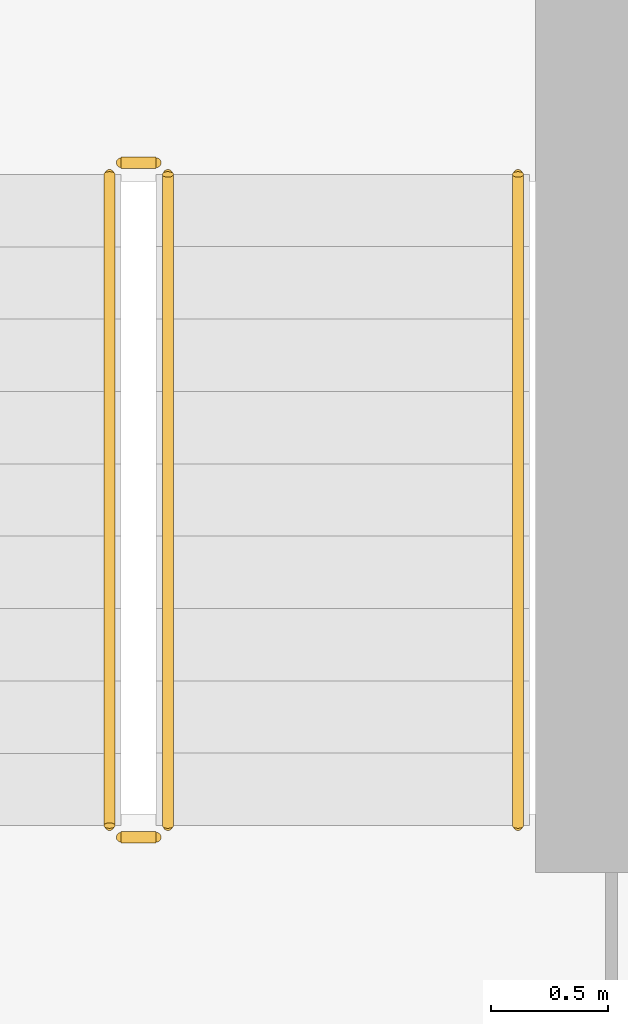
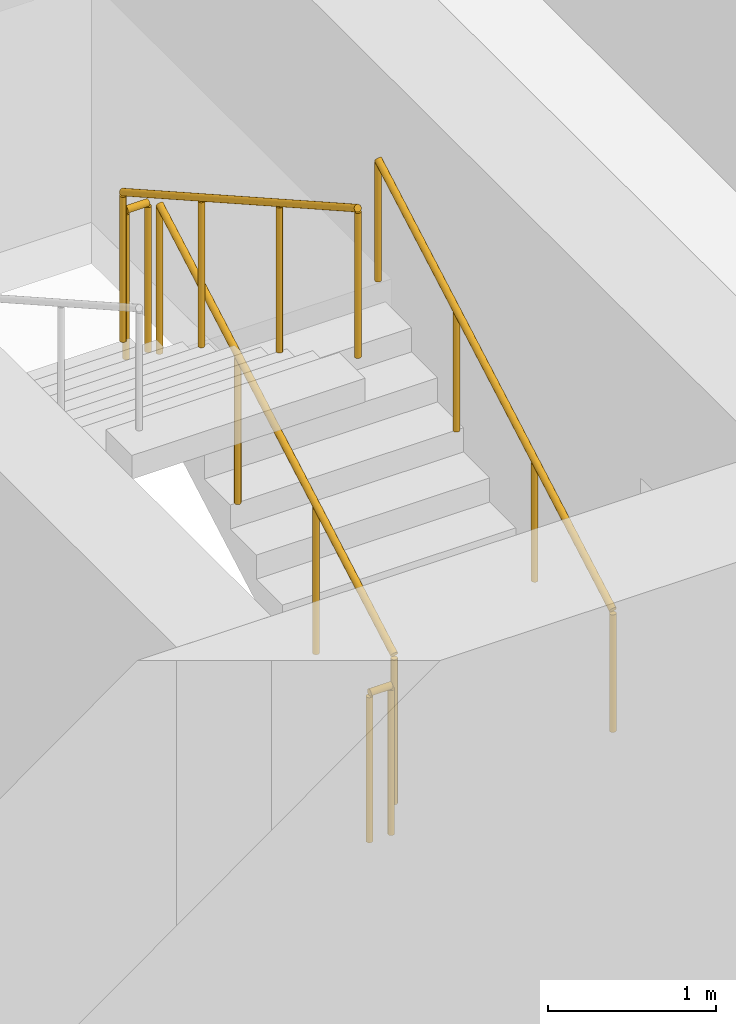
# One storey, part 20 of 22: 5 railings.
"""IFC4 building model written with IfcOpenShell, lengths in metres."""

from ifc_helpers import new_model, si_unit, direction, frame, origin, origin_2d, place, context, subcontext, project, spatial, circle, extrude, material, type_object, element, save


model = new_model("IFC4")

# Units and contexts
model_context = context("Model", 3, precision=1e-05, world=origin(), true_north=direction((0.0, 1.0)))
body_context = subcontext(model_context, "Body", "Model", "MODEL_VIEW")
ifc_project = project(units=[si_unit("LENGTHUNIT", "METRE"), si_unit("AREAUNIT", "SQUARE_METRE"), si_unit("VOLUMEUNIT", "CUBIC_METRE"), si_unit("PLANEANGLEUNIT", "RADIAN"), si_unit("MASSUNIT", "GRAM", prefix="KILO")], contexts=[model_context])

# Site, building, storey
site_placement = place(None, origin())
site = spatial("IfcSite", under=ifc_project, at=site_placement, CompositionType="ELEMENT")
building_placement = place(site_placement, origin())
building = spatial("IfcBuilding", under=site, at=building_placement, Name="Madar Terraces", CompositionType="ELEMENT")
storey_placement = place(building_placement, frame((0.0, 0.0, 66.300048828125)))
storey = spatial("IfcBuildingStorey", under=building, at=storey_placement, Name="L16", CompositionType="ELEMENT", Elevation=66.300048828125)

# Railings
ifc_material_1 = material(Name="Stainless steel railing", Category="steel")
railing_type_1 = type_object("IfcRailingType", Name="Stair guard 1100", PredefinedType="GUARDRAIL", material=ifc_material_1)
railing_1_placement = place(storey_placement, frame((41.449951171875, 17.60009765625, 0.175048828125)))
element("IfcRailing", 1, at=railing_1_placement, inside=storey, type_object=railing_type_1, Name="L16 ST3 stair guard 1", PredefinedType="GUARDRAIL", context=body_context, shape_type="SweptSolid", body=[
    extrude(circle(Radius=0.02392578125, at=origin_2d()), frame((0.0, 0.0, 1.076171875), z_axis=(0.0, 0.870815363784, 0.491610213684), x_axis=(-1.0, 0.0, 0.0)), (0.0, 0.0, 1.0), 3.20361328125),
    extrude(circle(Radius=0.02099609375, at=origin_2d()), origin(), (0.0, 0.0, 1.0), 1.052001953125),
    extrude(circle(Radius=0.02099609375, at=origin_2d()), frame((0.0, 0.929931640625, 0.52490234375)), (0.0, 0.0, 1.0), 1.052001953125),
    extrude(circle(Radius=0.02099609375, at=origin_2d()), frame((0.0, 1.85986328125, 1.050048828125)), (0.0, 0.0, 1.0), 1.052001953125),
    extrude(circle(Radius=0.02099609375, at=origin_2d()), frame((0.0, 2.789794921875, 1.574951171875)), (0.0, 0.0, 1.0), 1.052001953125),
])
railing_2_placement = place(storey_placement, frame((41.39990234375, 20.43994140625, 1.75)))
element("IfcRailing", 2, at=railing_2_placement, inside=storey, type_object=railing_type_1, Name="L16 ST3 stair guard 2", PredefinedType="GUARDRAIL", context=body_context, shape_type="SweptSolid", body=[
    extrude(circle(Radius=0.02392578125, at=origin_2d()), frame((0.0, 0.0, 1.076171875), z_axis=(-1.0, 0.0, 0.0), x_axis=(0.0, -1.0, 0.0)), (0.0, 0.0, 1.0), 0.14990234375),
    extrude(circle(Radius=0.02099609375, at=origin_2d()), origin(), (0.0, 0.0, 1.0), 1.052001953125),
    extrude(circle(Radius=0.02099609375, at=origin_2d()), frame((-0.14990234375, 0.0, 0.0)), (0.0, 0.0, 1.0), 1.052001953125),
])
railing_3_placement = place(storey_placement, frame((41.199951171875, 20.389892578125, 1.925048828125)))
element("IfcRailing", 3, at=railing_3_placement, inside=storey, type_object=railing_type_1, Name="L16 ST3 stair guard 3", PredefinedType="GUARDRAIL", context=body_context, shape_type="SweptSolid", body=[
    extrude(circle(Radius=0.02392578125, at=origin_2d()), frame((0.0, 0.0, 1.076171875), z_axis=(0.0, -0.870815363784, 0.491610213684), x_axis=(1.0, 0.0, 0.0)), (0.0, 0.0, 1.0), 3.20361328125),
    extrude(circle(Radius=0.02099609375, at=origin_2d()), origin(), (0.0, 0.0, 1.0), 1.052001953125),
    extrude(circle(Radius=0.02099609375, at=origin_2d()), frame((0.0, -0.929931640625, 0.52490234375)), (0.0, 0.0, 1.0), 1.052001953125),
    extrude(circle(Radius=0.02099609375, at=origin_2d()), frame((0.0, -1.85986328125, 1.050048828125)), (0.0, 0.0, 1.0), 1.052001953125),
    extrude(circle(Radius=0.02099609375, at=origin_2d()), frame((0.0, -2.789794921875, 1.574951171875)), (0.0, 0.0, 1.0), 1.052001953125),
])
railing_4_placement = place(storey_placement, frame((41.39990234375, 17.550048828125, 0.0)))
element("IfcRailing", 4, at=railing_4_placement, inside=storey, type_object=railing_type_1, Name="L16 ST3 stair guard 4", PredefinedType="GUARDRAIL", context=body_context, shape_type="SweptSolid", body=[
    extrude(circle(Radius=0.02392578125, at=origin_2d()), frame((0.0, 0.0, 1.076171875), z_axis=(-1.0, 0.0, 0.0), x_axis=(0.0, -1.0, 0.0)), (0.0, 0.0, 1.0), 0.14990234375),
    extrude(circle(Radius=0.02099609375, at=origin_2d()), origin(), (0.0, 0.0, 1.0), 1.052001953125),
    extrude(circle(Radius=0.02099609375, at=origin_2d()), frame((-0.14990234375, 0.0, 0.0)), (0.0, 0.0, 1.0), 1.052001953125),
])
ifc_material_2 = material(Name="Stainless steel railing", Category="steel")
railing_type_2 = type_object("IfcRailingType", Name="Stair handrail 900", PredefinedType="HANDRAIL", material=ifc_material_2)
railing_5_placement = place(storey_placement, frame((42.949951171875, 17.60009765625, 0.175048828125)))
element("IfcRailing", 5, at=railing_5_placement, inside=storey, type_object=railing_type_2, Name="L16 ST3 stair handrail 1", PredefinedType="HANDRAIL", context=body_context, shape_type="SweptSolid", body=[
    extrude(circle(Radius=0.02392578125, at=origin_2d()), frame((0.0, 0.0, 0.8759765625), z_axis=(0.0, 0.870815363784, 0.491610213684), x_axis=(-1.0, 0.0, 0.0)), (0.0, 0.0, 1.0), 3.20361328125),
    extrude(circle(Radius=0.02099609375, at=origin_2d()), origin(), (0.0, 0.0, 1.0), 0.851806640625),
    extrude(circle(Radius=0.02099609375, at=origin_2d()), frame((0.0, 0.929931640625, 0.52490234375)), (0.0, 0.0, 1.0), 0.851806640625),
    extrude(circle(Radius=0.02099609375, at=origin_2d()), frame((0.0, 1.85986328125, 1.050048828125)), (0.0, 0.0, 1.0), 0.851806640625),
    extrude(circle(Radius=0.02099609375, at=origin_2d()), frame((0.0, 2.789794921875, 1.574951171875)), (0.0, 0.0, 1.0), 0.851806640625),
])

save(model, "model.ifc")
